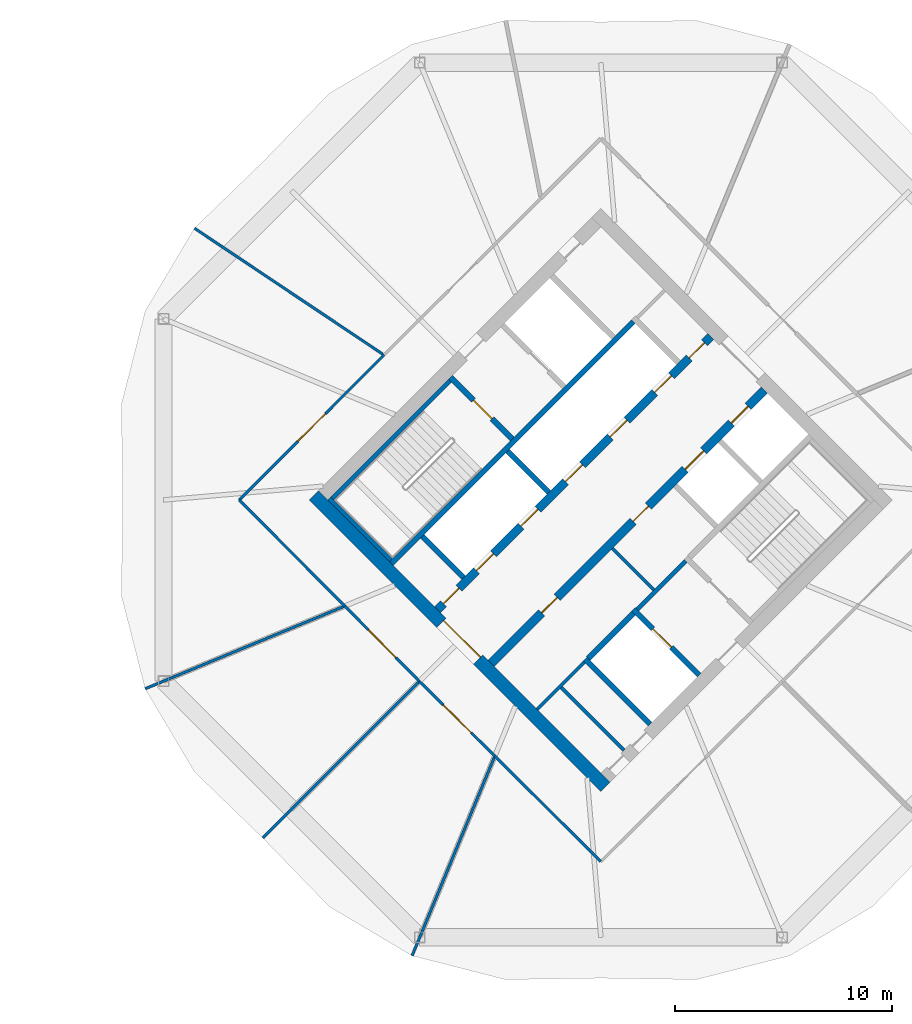
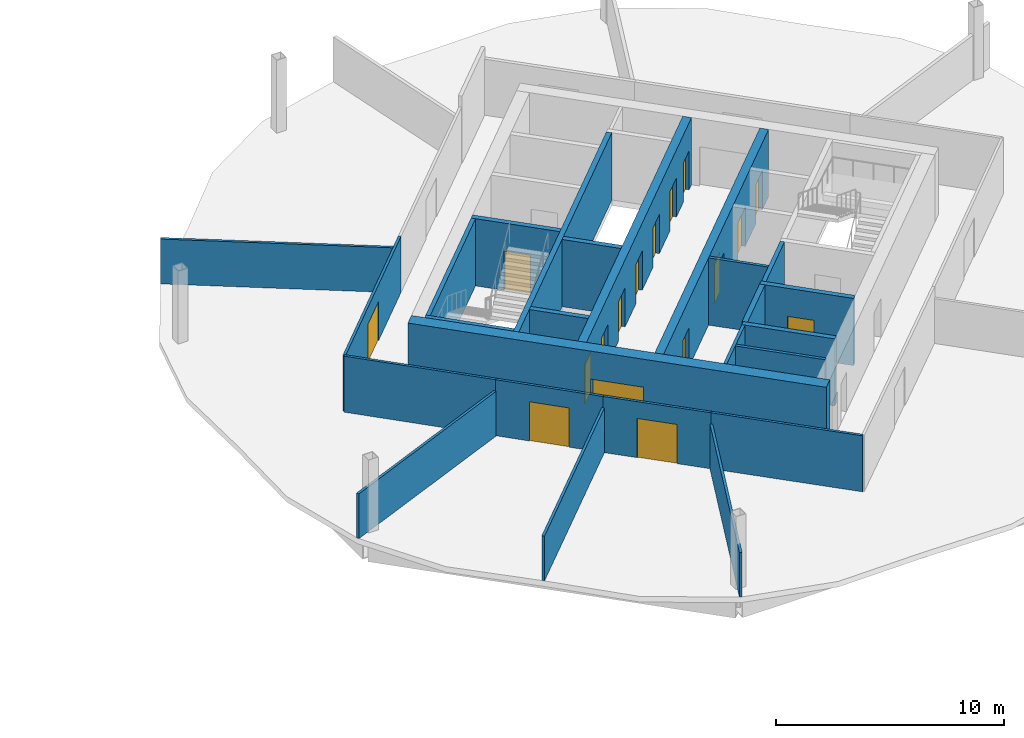
# One storey, part 7 of 10: 25 walls, 17 doors, 17 openings.
"""IFC4 building model written with IfcOpenShell, lengths in metres."""

import ifcopenshell
import ifcopenshell.guid

model = None  # the IFC model being written
_history = None  # IfcOwnerHistory: only IFC2X3 demands one
_inside = {}  # id of a spatial element -> (the spatial element, [elements in it])
_under = {}  # id of a project, library or spatial element -> (it, [spatial elements below it])
_declared = {}  # id of a project -> (the project, [libraries it declares])
_typed = {}  # id of a type object -> (the type object, [elements of that type])
_made_of = {}  # id of a material, layer set ... -> (it, [elements and type objects made of it])


def new_model(schema):
    """Start an empty IFC model of exactly this schema.

    Asked for "IFC4X3", IfcOpenShell would pick the latest addendum, in which some entities
    have other attributes; the version numbers below select the first issue.
    IFC2X3 requires an IfcOwnerHistory on every rooted entity: one is made here for all.
    """
    global model, _history
    if schema == "IFC4X3":
        model = ifcopenshell.file(schema_version=(4, 3, 0, 0))
    else:
        model = ifcopenshell.file(schema=schema)
    _inside.clear()
    _under.clear()
    _declared.clear()
    _typed.clear()
    _made_of.clear()
    _history = None
    if model.schema == "IFC2X3":
        org = make("IfcOrganization", Name="unknown")
        user = make(
            "IfcPersonAndOrganization",
            ThePerson=make("IfcPerson", FamilyName="unknown"),
            TheOrganization=org,
        )
        app = make(
            "IfcApplication",
            ApplicationDeveloper=org,
            Version="unknown",
            ApplicationFullName="unknown",
            ApplicationIdentifier="unknown",
        )
        _history = make(
            "IfcOwnerHistory",
            OwningUser=user,
            OwningApplication=app,
            ChangeAction="ADDED",
            CreationDate=0,
        )
    return model


def make(cls, **values):
    """One entity of the class cls with the attributes given. An attribute that is None is left unset."""
    return model.create_entity(
        cls, **{name: value for name, value in values.items() if value is not None}
    )


def rooted(cls, **values):
    """An entity with a GlobalId (a new one), such as an element, a storey or a relation."""
    return make(cls, GlobalId=ifcopenshell.guid.new(), OwnerHistory=_history, **values)


def si_unit(unit_type, name, prefix=None):
    """IfcSIUnit, for example si_unit("LENGTHUNIT", "METRE", prefix="MILLI")."""
    return make("IfcSIUnit", UnitType=unit_type, Prefix=prefix, Name=name)


def assignment(units):
    """IfcUnitAssignment: the units of a project."""
    return None if units is None else make("IfcUnitAssignment", Units=units)


def point(xyz):
    """IfcCartesianPoint."""
    return None if xyz is None else make("IfcCartesianPoint", Coordinates=xyz)


def direction(xyz):
    """IfcDirection."""
    return None if xyz is None else make("IfcDirection", DirectionRatios=xyz)


def frame(location, z_axis=None, x_axis=None):
    """IfcAxis2Placement3D, a coordinate frame: its origin and axes. An axis left out is left unset."""
    return make(
        "IfcAxis2Placement3D",
        Location=point(location),
        Axis=direction(z_axis),
        RefDirection=direction(x_axis),
    )


def frame_2d(location, x_axis=None):
    """IfcAxis2Placement2D, a coordinate frame in the plane: its origin and x axis."""
    return make(
        "IfcAxis2Placement2D", Location=point(location), RefDirection=direction(x_axis)
    )


def origin():
    """The frame at (0, 0, 0) with its axes left unset."""
    return frame((0.0, 0.0, 0.0))


def place(relative_to, where):
    """IfcLocalPlacement: puts the frame where relative to a parent placement (None: the world)."""
    return make(
        "IfcLocalPlacement", PlacementRelTo=relative_to, RelativePlacement=where
    )


def context(
    kind, dimensions, precision=None, world=None, true_north=None, identifier=None
):
    """IfcGeometricRepresentationContext, for example the 3D "Model" context."""
    return make(
        "IfcGeometricRepresentationContext",
        ContextIdentifier=identifier,
        ContextType=kind,
        CoordinateSpaceDimension=dimensions,
        Precision=precision,
        WorldCoordinateSystem=world,
        TrueNorth=true_north,
    )


def subcontext(parent, identifier, kind, view, scale=None):
    """IfcGeometricRepresentationSubContext, for example "Body" below "Model"."""
    return make(
        "IfcGeometricRepresentationSubContext",
        ContextIdentifier=identifier,
        ContextType=kind,
        ParentContext=parent,
        TargetScale=scale,
        TargetView=view,
    )


def project(units=None, contexts=None):
    """IfcProject with its units and contexts."""
    return rooted(
        "IfcProject",
        Name="project",
        RepresentationContexts=contexts,
        UnitsInContext=assignment(units),
    )


def spatial(cls, under=None, at=None, **own):
    """A site, building, storey or space (cls), placed at a placement, below another one or the project."""
    s = rooted(cls, ObjectPlacement=at, **own)
    if under is not None:
        _under.setdefault(under.id(), (under, []))[1].append(s)
    return s


def profile(cls, at=None, kind="AREA", **sizes):
    """A parametric profile (cls). Its sizes go by their IFC names, for example OverallWidth=200.0."""
    return make(cls, ProfileType=kind, Position=at, **sizes)


def rectangle(**sizes):
    """IfcRectangleProfileDef."""
    return profile("IfcRectangleProfileDef", **sizes)


def extrude(swept, where, along, depth):
    """IfcExtrudedAreaSolid: the profile swept, set in the frame where, extruded along a direction by depth."""
    return make(
        "IfcExtrudedAreaSolid",
        SweptArea=swept,
        Position=where,
        ExtrudedDirection=direction(along),
        Depth=depth,
    )


def shape(context_of_items, identifier, shape_type, items):
    """IfcShapeRepresentation: the items that make up one representation, for example the "Body"."""
    return make(
        "IfcShapeRepresentation",
        ContextOfItems=context_of_items,
        RepresentationIdentifier=identifier,
        RepresentationType=shape_type,
        Items=items,
    )


def material(Name=None, Category=None):
    """IfcMaterial."""
    return make("IfcMaterial", Name=Name, Category=Category)


def layer(
    of_material, thickness, ventilated=None, Name=None, Category=None, Priority=None
):
    """IfcMaterialLayer: one layer of a wall or slab, of a material (None: an air gap)."""
    return make(
        "IfcMaterialLayer",
        Material=of_material,
        LayerThickness=thickness,
        IsVentilated=ventilated,
        Name=Name,
        Category=Category,
        Priority=Priority,
    )


def layer_set(layers, Name=None):
    """IfcMaterialLayerSet."""
    return make("IfcMaterialLayerSet", MaterialLayers=layers, LayerSetName=Name)


def made_of(thing, what):
    """Note that an element or type object is made of a material, layer set ...; save() writes the relation."""
    if what is not None:
        _made_of.setdefault(what.id(), (what, []))[1].append(thing)
    return thing


def type_object(cls, material=None, **own):
    """A type object (cls), such as IfcWallType, which elements share."""
    return made_of(rooted(cls, **own), material)


def element(
    cls,
    number,
    at=None,
    inside=None,
    cuts=None,
    type_object=None,
    material=None,
    context=None,
    identifier="Body",
    shape_type=None,
    held_by="IfcProductDefinitionShape",
    body=None,
    shapes=None,
    **own,
):
    """One element of the class cls, such as IfcWall. Its Tag is "e" and its number.

    at: its placement. inside: the storey or other place that contains it. cuts: it is an
    opening in that element (IfcRelVoidsElement). A single representation is given by context,
    identifier, shape_type and body (its items); several are given by shapes. held_by: the class
    of the entity that holds the representations. save() writes the other relations.
    """
    e = rooted(cls, Tag="e%d" % number, ObjectPlacement=at, **own)
    if body is not None:
        shapes = [shape(context, identifier, shape_type, body)]
    if shapes is not None:
        e.Representation = make(held_by, Representations=shapes)
    if inside is not None:
        _inside.setdefault(inside.id(), (inside, []))[1].append(e)
    if cuts is not None:
        rooted(
            "IfcRelVoidsElement", RelatingBuildingElement=cuts, RelatedOpeningElement=e
        )
    if type_object is not None:
        _typed.setdefault(type_object.id(), (type_object, []))[1].append(e)
    return made_of(e, material)


def fill(opening, filler):
    """IfcRelFillsElement: the door or window that sits in an opening."""
    return rooted(
        "IfcRelFillsElement",
        RelatingOpeningElement=opening,
        RelatedBuildingElement=filler,
    )


def aggregate(whole, parts):
    """IfcRelAggregates: a whole, such as a stair, and the parts it consists of."""
    return rooted("IfcRelAggregates", RelatingObject=whole, RelatedObjects=parts)


def save(model, path):
    """Write the relations noted so far, then the file.

    IfcRelAggregates (storeys below a building ...), IfcRelContainedInSpatialStructure (elements
    in a storey), IfcRelDefinesByType, IfcRelAssociatesMaterial and IfcRelDeclares: one each for
    every whole, place, type object, material and project.
    """
    for whole, parts in _under.values():
        aggregate(whole, parts)
    for where, things in _inside.values():
        rooted(
            "IfcRelContainedInSpatialStructure",
            RelatedElements=things,
            RelatingStructure=where,
        )
    for kind, things in _typed.values():
        rooted("IfcRelDefinesByType", RelatedObjects=things, RelatingType=kind)
    for what, things in _made_of.values():
        rooted("IfcRelAssociatesMaterial", RelatedObjects=things, RelatingMaterial=what)
    for by, libraries in _declared.values():
        rooted("IfcRelDeclares", RelatingContext=by, RelatedDefinitions=libraries)
    model.write(path)


model = new_model("IFC4")

# Units and contexts
model_context = context("Model", 3, precision=1e-05, world=origin(), true_north=direction((0.0, 1.0)))
body_context = subcontext(model_context, "Body", "Model", "MODEL_VIEW")
ifc_project = project(units=[si_unit("LENGTHUNIT", "METRE"), si_unit("AREAUNIT", "SQUARE_METRE"), si_unit("VOLUMEUNIT", "CUBIC_METRE"), si_unit("PLANEANGLEUNIT", "RADIAN"), si_unit("MASSUNIT", "GRAM", prefix="KILO")], contexts=[model_context])

# Site, building, storey
site_placement = place(None, origin())
site = spatial("IfcSite", under=ifc_project, at=site_placement, CompositionType="ELEMENT")
building_placement = place(site_placement, origin())
building = spatial("IfcBuilding", under=site, at=building_placement, Name="Ogive Gate Towers", CompositionType="ELEMENT")
storey_placement = place(building_placement, frame((0.0, 0.0, 173.39990234375)))
storey = spatial("IfcBuildingStorey", under=building, at=storey_placement, Name="L41", CompositionType="ELEMENT", Elevation=173.39990234375)

# Wall
ifc_material_1 = material(Name="Masonry blockwork", Category="masonry")
ifc_layer_1 = layer(ifc_material_1, 0.199951171875)
ifc_layer_set_1 = layer_set([ifc_layer_1], Name="Blockwork wall 200 mm")
wall_type_1 = type_object("IfcWallType", Name="Blockwork wall 200 mm", PredefinedType="PARTITIONING", material=ifc_layer_set_1)
wall_1_placement = place(storey_placement, frame((37.679443359375, -5.0380859375, 0.0), z_axis=(0.0, 0.0, 1.0), x_axis=(0.707106781187, 0.707106781187, 0.0)))
element("IfcWall", 1, at=wall_1_placement, inside=storey, type_object=wall_type_1, Name="T2 L41 Blockwork wall 200 mm", PredefinedType="PARTITIONING", context=body_context, shape_type="SweptSolid", body=[
    extrude(rectangle(XDim=3.14990234375, YDim=0.199951171875, at=frame_2d((1.574951171875, 0.0))), origin(), (0.0, 0.0, 1.0), 3.60009765625),
])

# Wall, opening, door
ifc_material_2 = material(Name="Concrete C60/75", Category="concrete")
ifc_layer_2 = layer(ifc_material_2, 0.60009765625)
ifc_layer_set_2 = layer_set([ifc_layer_2], Name="Core wall 600 mm")
wall_type_2 = type_object("IfcWallType", Name="Core wall 600 mm", PredefinedType="SHEAR", material=ifc_layer_set_2)
wall_2_placement = place(storey_placement, frame((36.212158203125, -13.222900390625, 0.0), z_axis=(0.0, 0.0, 1.0), x_axis=(-0.707106781187, 0.707106781187, 0.0)))
wall_2 = element("IfcWall", 2, at=wall_2_placement, inside=storey, type_object=wall_type_2, Name="T2 L41 Core wall 600 mm", PredefinedType="SHEAR", context=body_context, shape_type="SweptSolid", body=[
    extrude(rectangle(XDim=19.0, YDim=0.60009765625, at=frame_2d((9.5, 0.0))), origin(), (0.0, 0.0, 1.0), 3.60009765625),
])
opening_1_placement = place(wall_2_placement, frame((8.300048828125, 0.0, 0.0)))
opening_1 = element("IfcOpeningElement", 3, at=opening_1_placement, cuts=wall_2, Name="Opening KD-T2-L41-01", PredefinedType="OPENING", context=body_context, shape_type="SweptSolid", body=[
    extrude(rectangle(XDim=2.39990234375, YDim=2.10009765625, at=frame_2d((1.199951171875, 1.050048828125))), frame((0.0, 0.31005859375, 0.0), z_axis=(0.0, -1.0, 0.0), x_axis=(1.0, 0.0, 0.0)), (0.0, 0.0, 1.0), 0.6201171875),
])
ifc_material_3 = material(Name="Steel fire door", Category="steel")
door_type_1 = type_object("IfcDoorType", Name="Core double door FD60S 2400 x 2100", OperationType="DOUBLE_DOOR_SINGLE_SWING", PredefinedType="DOOR", material=ifc_material_3)
door_1_placement = place(opening_1_placement, origin())
door_1 = element("IfcDoor", 4, at=door_1_placement, inside=storey, type_object=door_type_1, Name="T2 L41 Core door double", OperationType="DOUBLE_DOOR_SINGLE_SWING", OverallHeight=2.10009765625, OverallWidth=2.39990234375, PredefinedType="DOOR", context=body_context, shape_type="SweptSolid", body=[
    extrude(rectangle(XDim=2.39990234375, YDim=2.10009765625, at=frame_2d((1.199951171875, 1.050048828125))), frame((0.0, -0.125, 0.0), z_axis=(0.0, -1.0, 0.0), x_axis=(1.0, 0.0, 0.0)), (0.0, 0.0, 1.0), 0.050048828125),
])
fill(opening_1, door_1)

# Walls
ifc_material_4 = material(Name="Gypsum board partition")
ifc_layer_3 = layer(ifc_material_4, 0.125)
ifc_layer_set_3 = layer_set([ifc_layer_3], Name="Partition 125")
wall_type_3 = type_object("IfcWallType", Name="Partition 125", PredefinedType="PARTITIONING", material=ifc_layer_set_3)
wall_3_placement = place(storey_placement, frame((17.271728515625, 12.5234375, 0.0), z_axis=(0.0, 0.0, 1.0), x_axis=(0.831276473527, -0.555859176914, 0.0)))
element("IfcWall", 5, at=wall_3_placement, inside=storey, type_object=wall_type_3, Name="Partition T2-L41-004", PredefinedType="PARTITIONING", context=body_context, shape_type="SweptSolid", body=[
    extrude(rectangle(XDim=10.44677734375, YDim=0.125, at=frame_2d((5.223388671875, 0.0))), origin(), (0.0, 0.0, 1.0), 2.400146484375),
])
wall_4_placement = place(storey_placement, frame((15.000244140625, -8.698486328125, 0.0), z_axis=(0.0, 0.0, 1.0), x_axis=(0.923873408778, 0.382698216031, 0.0)))
element("IfcWall", 6, at=wall_4_placement, inside=storey, type_object=wall_type_3, Name="Partition T2-L41-005", PredefinedType="PARTITIONING", context=body_context, shape_type="SweptSolid", body=[
    extrude(rectangle(XDim=9.896484375, YDim=0.125, at=frame_2d((4.9482421875, 0.0))), origin(), (0.0, 0.0, 1.0), 2.400146484375),
])
wall_5_placement = place(storey_placement, frame((20.423095703125, -15.576904296875, 0.0), z_axis=(0.0, 0.0, 1.0), x_axis=(0.707106781187, 0.707106781187, 0.0)))
element("IfcWall", 7, at=wall_5_placement, inside=storey, type_object=wall_type_3, Name="Partition T2-L41-006", PredefinedType="PARTITIONING", context=body_context, shape_type="SweptSolid", body=[
    extrude(rectangle(XDim=10.146728515625, YDim=0.125, at=frame_2d((5.0732421875, 0.0))), origin(), (0.0, 0.0, 1.0), 2.400146484375),
])
wall_6_placement = place(storey_placement, frame((27.301513671875, -20.999755859375, 0.0), z_axis=(0.0, 0.0, 1.0), x_axis=(0.382698216031, 0.923873408778, 0.0)))
element("IfcWall", 8, at=wall_6_placement, inside=storey, type_object=wall_type_3, Name="Partition T2-L41-007", PredefinedType="PARTITIONING", context=body_context, shape_type="SweptSolid", body=[
    extrude(rectangle(XDim=9.896484375, YDim=0.125, at=frame_2d((4.9482421875, 0.0))), origin(), (0.0, 0.0, 1.0), 2.400146484375),
])

# Wall, opening, door
wall_7_placement = place(storey_placement, frame((26.007568359375, 6.681884765625, 0.0), z_axis=(0.0, 0.0, 1.0), x_axis=(-0.706317463053, -0.707895219214, 0.0)))
wall_7 = element("IfcWall", 9, at=wall_7_placement, inside=storey, type_object=wall_type_3, Name="Partition T2-L41-012", PredefinedType="PARTITIONING", context=body_context, shape_type="SweptSolid", body=[
    extrude(rectangle(XDim=9.439208984375, YDim=0.125, at=frame_2d((4.7197265625, 0.0))), origin(), (0.0, 0.0, 1.0), 3.0),
])
opening_2_placement = place(wall_7_placement, frame((3.820068359375, 0.0, 0.0)))
opening_2 = element("IfcOpeningElement", 10, at=opening_2_placement, cuts=wall_7, Name="Opening T2-L41-D03", PredefinedType="OPENING", context=body_context, shape_type="SweptSolid", body=[
    extrude(rectangle(XDim=1.800048828125, YDim=2.10009765625, at=frame_2d((0.89990234375, 1.050048828125))), frame((0.0, 0.072509765625, 0.0), z_axis=(0.0, -1.0, 0.0), x_axis=(1.0, 0.0, 0.0)), (0.0, 0.0, 1.0), 0.14501953125),
])
ifc_material_5 = material(Name="Timber door", Category="wood")
door_type_2 = type_object("IfcDoorType", Name="Door pair 1800", OperationType="NOTDEFINED", PredefinedType="DOOR", material=ifc_material_5)
door_2_placement = place(opening_2_placement, origin())
door_2 = element("IfcDoor", 11, at=door_2_placement, inside=storey, type_object=door_type_2, Name="Door T2-L41-D03", OperationType="DOUBLE_DOOR_DOUBLE_SWING", OverallHeight=2.10009765625, OverallWidth=1.800048828125, PredefinedType="DOOR", context=body_context, shape_type="SweptSolid", body=[
    extrude(rectangle(XDim=1.800048828125, YDim=2.10009765625, at=frame_2d((0.89990234375, 1.050048828125))), frame((0.0, 0.02490234375, 0.0), z_axis=(0.0, -1.0, 0.0), x_axis=(1.0, 0.0, 0.0)), (0.0, 0.0, 1.0), 0.050048828125),
])
fill(opening_2, door_2)

# Wall
wall_8_placement = place(storey_placement, frame((19.340576171875, 0.0, 0.0), z_axis=(0.0, 0.0, 1.0), x_axis=(0.705173764492, -0.709034527983, 0.0)))
element("IfcWall", 12, at=wall_8_placement, inside=storey, type_object=wall_type_3, Name="Partition T2-L41-013", PredefinedType="PARTITIONING", context=body_context, shape_type="SweptSolid", body=[
    extrude(rectangle(XDim=6.892822265625, YDim=0.125, at=frame_2d((3.4462890625, 0.0))), origin(), (0.0, 0.0, 1.0), 3.0),
])

# Wall, opening, door
wall_9_placement = place(storey_placement, frame((24.201171875, -4.88720703125, 0.0), z_axis=(0.0, 0.0, 1.0), x_axis=(0.70405301557, -0.710147415166, 0.0)))
wall_9 = element("IfcWall", 13, at=wall_9_placement, inside=storey, type_object=wall_type_3, Name="Partition T2-L41-014", PredefinedType="PARTITIONING", context=body_context, shape_type="SweptSolid", body=[
    extrude(rectangle(XDim=4.88720703125, YDim=0.125, at=frame_2d((2.443603515625, 0.0))), origin(), (0.0, 0.0, 1.0), 3.0),
])
opening_3_placement = place(wall_9_placement, frame((1.5439453125, 0.0, 0.0)))
opening_3 = element("IfcOpeningElement", 14, at=opening_3_placement, cuts=wall_9, Name="Opening T2-L41-D04", PredefinedType="OPENING", context=body_context, shape_type="SweptSolid", body=[
    extrude(rectangle(XDim=1.800048828125, YDim=2.10009765625, at=frame_2d((0.89990234375, 1.050048828125))), frame((0.0, 0.072509765625, 0.0), z_axis=(0.0, -1.0, 0.0), x_axis=(1.0, 0.0, 0.0)), (0.0, 0.0, 1.0), 0.14501953125),
])
door_3_placement = place(opening_3_placement, origin())
door_3 = element("IfcDoor", 15, at=door_3_placement, inside=storey, type_object=door_type_2, Name="Door T2-L41-D04", OperationType="DOUBLE_DOOR_DOUBLE_SWING", OverallHeight=2.10009765625, OverallWidth=1.800048828125, PredefinedType="DOOR", context=body_context, shape_type="SweptSolid", body=[
    extrude(rectangle(XDim=1.800048828125, YDim=2.10009765625, at=frame_2d((0.89990234375, 1.050048828125))), frame((0.0, 0.02490234375, 0.0), z_axis=(0.0, -1.0, 0.0), x_axis=(1.0, 0.0, 0.0)), (0.0, 0.0, 1.0), 0.050048828125),
])
fill(opening_3, door_3)

wall_10_placement = place(storey_placement, frame((27.64208984375, -8.35791015625, 0.0), z_axis=(0.0, 0.0, 1.0), x_axis=(0.710147415166, -0.70405301557, 0.0)))
wall_10 = element("IfcWall", 16, at=wall_10_placement, inside=storey, type_object=wall_type_3, Name="Partition T2-L41-015", PredefinedType="PARTITIONING", context=body_context, shape_type="SweptSolid", body=[
    extrude(rectangle(XDim=4.88720703125, YDim=0.125, at=frame_2d((2.443603515625, 0.0))), origin(), (0.0, 0.0, 1.0), 3.0),
])
opening_4_placement = place(wall_10_placement, frame((1.5439453125, 0.0, 0.0)))
opening_4 = element("IfcOpeningElement", 17, at=opening_4_placement, cuts=wall_10, Name="Opening T2-L41-D05", PredefinedType="OPENING", context=body_context, shape_type="SweptSolid", body=[
    extrude(rectangle(XDim=1.800048828125, YDim=2.10009765625, at=frame_2d((0.89990234375, 1.050048828125))), frame((0.0, 0.072509765625, 0.0), z_axis=(0.0, -1.0, 0.0), x_axis=(1.0, 0.0, 0.0)), (0.0, 0.0, 1.0), 0.14501953125),
])
door_4_placement = place(opening_4_placement, origin())
door_4 = element("IfcDoor", 18, at=door_4_placement, inside=storey, type_object=door_type_2, Name="Door T2-L41-D05", OperationType="DOUBLE_DOOR_DOUBLE_SWING", OverallHeight=2.10009765625, OverallWidth=1.800048828125, PredefinedType="DOOR", context=body_context, shape_type="SweptSolid", body=[
    extrude(rectangle(XDim=1.800048828125, YDim=2.10009765625, at=frame_2d((0.89990234375, 1.050048828125))), frame((0.0, 0.02490234375, 0.0), z_axis=(0.0, -1.0, 0.0), x_axis=(1.0, 0.0, 0.0)), (0.0, 0.0, 1.0), 0.050048828125),
])
fill(opening_4, door_4)

# Walls
wall_11_placement = place(storey_placement, frame((31.11279296875, -11.798828125, 0.0), z_axis=(0.0, 0.0, 1.0), x_axis=(0.709034527983, -0.705173764492, 0.0)))
element("IfcWall", 19, at=wall_11_placement, inside=storey, type_object=wall_type_3, Name="Partition T2-L41-017", PredefinedType="PARTITIONING", context=body_context, shape_type="SweptSolid", body=[
    extrude(rectangle(XDim=6.892822265625, YDim=0.125, at=frame_2d((3.4462890625, 0.0))), origin(), (0.0, 0.0, 1.0), 3.0),
])
ifc_layer_4 = layer(ifc_material_4, 0.14990234375)
ifc_layer_set_4 = layer_set([ifc_layer_4], Name="Room partition 150 mm")
wall_type_4 = type_object("IfcWallType", Name="Room partition 150 mm", PredefinedType="PARTITIONING", material=ifc_layer_set_4)
wall_12_placement = place(storey_placement, frame((33.0654296875, -9.652099609375, 0.0), z_axis=(0.0, 0.0, 1.0), x_axis=(0.707146476181, 0.707067083964, 0.0)))
element("IfcWall", 20, at=wall_12_placement, inside=storey, type_object=wall_type_4, Name="T2 L41 Room partition 150 mm", PredefinedType="PARTITIONING", context=body_context, shape_type="SweptSolid", body=[
    extrude(rectangle(XDim=3.0751953125, YDim=0.14990234375, at=frame_2d((1.53759765625, 0.0))), origin(), (0.0, 0.0, 1.0), 3.60009765625),
])
wall_13_placement = place(storey_placement, frame((37.060791015625, -11.52587890625, 0.0), z_axis=(0.0, 0.0, 1.0), x_axis=(-0.707106781187, 0.707106781187, 0.0)))
element("IfcWall", 21, at=wall_13_placement, inside=storey, type_object=wall_type_4, Name="T2 L41 Room partition 150 mm", PredefinedType="PARTITIONING", context=body_context, shape_type="SweptSolid", body=[
    extrude(rectangle(XDim=4.0751953125, YDim=0.14990234375, at=frame_2d((2.03759765625, 0.0))), origin(), (0.0, 0.0, 1.0), 3.60009765625),
])
wall_14_placement = place(storey_placement, frame((38.439453125, -4.13671875, 0.0), z_axis=(0.0, 0.0, 1.0), x_axis=(-0.707061571201, 0.707151988282, 0.0)))
element("IfcWall", 22, at=wall_14_placement, inside=storey, type_object=wall_type_4, Name="T2 L41 Room partition 150 mm", PredefinedType="PARTITIONING", context=body_context, shape_type="SweptSolid", body=[
    extrude(rectangle(XDim=2.7001953125, YDim=0.14990234375, at=frame_2d((1.35009765625, 0.0))), origin(), (0.0, 0.0, 1.0), 3.60009765625),
])
ifc_layer_5 = layer(ifc_material_2, 0.25)
ifc_layer_set_5 = layer_set([ifc_layer_5], Name="Shaft wall 250 mm")
wall_type_5 = type_object("IfcWallType", Name="Shaft wall 250 mm", PredefinedType="SHEAR", material=ifc_layer_set_5)
wall_15_placement = place(storey_placement, frame((35.41650390625, -7.30078125, 0.0), z_axis=(0.0, 0.0, 1.0), x_axis=(0.707148157867, 0.707065402085, 0.0)))
element("IfcWall", 23, at=wall_15_placement, inside=storey, type_object=wall_type_5, Name="T2 L41 Shaft wall 250 mm", PredefinedType="SHEAR", context=body_context, shape_type="SweptSolid", body=[
    extrude(rectangle(XDim=2.9501953125, YDim=0.25, at=frame_2d((1.47509765625, 0.0))), origin(), (0.0, 0.0, 1.0), 3.60009765625),
])
wall_16_placement = place(storey_placement, frame((26.347900390625, -2.9345703125, 0.0), z_axis=(0.0, 0.0, 1.0), x_axis=(0.707106781187, 0.707106781187, 0.0)))
element("IfcWall", 24, at=wall_16_placement, inside=storey, type_object=wall_type_5, Name="T2 L41 Shaft wall 250 mm", PredefinedType="SHEAR", context=body_context, shape_type="SweptSolid", body=[
    extrude(rectangle(XDim=15.775146484375, YDim=0.25, at=frame_2d((7.8876953125, 0.0))), origin(), (0.0, 0.0, 1.0), 3.60009765625),
])
wall_17_placement = place(storey_placement, frame((29.67138671875, -3.57080078125, 0.0), z_axis=(0.0, 0.0, 1.0), x_axis=(-0.707152414227, 0.707061145201, 0.0)))
element("IfcWall", 25, at=wall_17_placement, inside=storey, type_object=wall_type_5, Name="T2 L41 Shaft wall 250 mm", PredefinedType="SHEAR", context=body_context, shape_type="SweptSolid", body=[
    extrude(rectangle(XDim=2.675048828125, YDim=0.25, at=frame_2d((1.33740234375, 0.0))), origin(), (0.0, 0.0, 1.0), 3.60009765625),
])
wall_18_placement = place(storey_placement, frame((38.2626953125, -10.32373046875, 0.0), z_axis=(0.0, 0.0, 1.0), x_axis=(-0.707106781187, 0.707106781187, 0.0)))
element("IfcWall", 26, at=wall_18_placement, inside=storey, type_object=wall_type_5, Name="T2 L41 Shaft wall 250 mm", PredefinedType="SHEAR", context=body_context, shape_type="SweptSolid", body=[
    extrude(rectangle(XDim=4.22509765625, YDim=0.25, at=frame_2d((2.112548828125, 0.0))), origin(), (0.0, 0.0, 1.0), 3.60009765625),
])

# Wall, opening, door
wall_19_placement = place(storey_placement, frame((40.525390625, -8.06103515625, 0.0), z_axis=(0.0, 0.0, 1.0), x_axis=(-0.707078225638, 0.707135335582, 0.0)))
wall_19 = element("IfcWall", 27, at=wall_19_placement, inside=storey, type_object=wall_type_5, Name="T2 L41 Shaft wall 250 mm", PredefinedType="SHEAR", context=body_context, shape_type="SweptSolid", body=[
    extrude(rectangle(XDim=4.27490234375, YDim=0.25, at=frame_2d((2.137451171875, 0.0))), origin(), (0.0, 0.0, 1.0), 3.60009765625),
])
opening_5_placement = place(wall_19_placement, frame((1.800048828125, 0.0, 0.0)))
opening_5 = element("IfcOpeningElement", 28, at=opening_5_placement, cuts=wall_19, Name="Opening LD-T2-L41-13", PredefinedType="OPENING", context=body_context, shape_type="SweptSolid", body=[
    extrude(rectangle(XDim=1.199951171875, YDim=2.10009765625, at=frame_2d((0.60009765625, 1.050048828125))), frame((0.0, 0.135009765625, 0.0), z_axis=(0.0, -1.0, 0.0), x_axis=(1.0, 0.0, 0.0)), (0.0, 0.0, 1.0), 0.27001953125),
])
ifc_material_6 = material(Name="Stainless steel landing door", Category="steel")
door_type_3 = type_object("IfcDoorType", Name="Landing door 1200 x 2100", OperationType="SLIDING_TO_LEFT", PredefinedType="DOOR", material=ifc_material_6)
door_5_placement = place(opening_5_placement, origin())
door_5 = element("IfcDoor", 29, at=door_5_placement, inside=storey, type_object=door_type_3, Name="T2 L41 Lift landing door FF2", OperationType="SLIDING_TO_LEFT", OverallHeight=2.10009765625, OverallWidth=1.199951171875, PredefinedType="DOOR", context=body_context, shape_type="SweptSolid", body=[
    extrude(rectangle(XDim=1.199951171875, YDim=2.10009765625, at=frame_2d((0.60009765625, 1.050048828125))), frame((0.0, 0.02490234375, 0.0), z_axis=(0.0, -1.0, 0.0), x_axis=(1.0, 0.0, 0.0)), (0.0, 0.0, 1.0), 0.050048828125),
])
fill(opening_5, door_5)

# Wall
wall_20_placement = place(storey_placement, frame((33.595703125, 0.353515625, 0.0), z_axis=(0.0, 0.0, 1.0), x_axis=(-0.707061145201, 0.707152414227, 0.0)))
element("IfcWall", 30, at=wall_20_placement, inside=storey, type_object=wall_type_5, Name="T2 L41 Shaft wall 250 mm", PredefinedType="SHEAR", context=body_context, shape_type="SweptSolid", body=[
    extrude(rectangle(XDim=2.675048828125, YDim=0.25, at=frame_2d((1.33740234375, 0.0))), origin(), (0.0, 0.0, 1.0), 3.60009765625),
])

# Wall, opening, door
wall_21_placement = place(storey_placement, frame((31.91650390625, 2.810791015625, 0.0), z_axis=(0.0, 0.0, 1.0), x_axis=(-0.707106781187, 0.707106781187, 0.0)))
wall_21 = element("IfcWall", 31, at=wall_21_placement, inside=storey, type_object=wall_type_5, Name="T2 L41 Shaft wall 250 mm", PredefinedType="SHEAR", context=body_context, shape_type="SweptSolid", body=[
    extrude(rectangle(XDim=4.025146484375, YDim=0.25, at=frame_2d((2.0126953125, 0.0))), origin(), (0.0, 0.0, 1.0), 3.60009765625),
])
opening_6_placement = place(wall_21_placement, frame((1.324951171875, 0.0, 0.0)))
opening_6 = element("IfcOpeningElement", 32, at=opening_6_placement, cuts=wall_21, Name="Opening KD-T2-L41-16", PredefinedType="OPENING", context=body_context, shape_type="SweptSolid", body=[
    extrude(rectangle(XDim=1.199951171875, YDim=2.10009765625, at=frame_2d((0.60009765625, 1.050048828125))), frame((0.0, 0.135009765625, 0.0), z_axis=(0.0, -1.0, 0.0), x_axis=(1.0, 0.0, 0.0)), (0.0, 0.0, 1.0), 0.27001953125),
])
door_type_4 = type_object("IfcDoorType", Name="Core door FD60S 1200 x 2100", OperationType="NOTDEFINED", PredefinedType="DOOR", material=ifc_material_3)
door_6_placement = place(opening_6_placement, origin())
door_6 = element("IfcDoor", 33, at=door_6_placement, inside=storey, type_object=door_type_4, Name="T2 L41 Stair door", OperationType="SINGLE_SWING_LEFT", OverallHeight=2.10009765625, OverallWidth=1.199951171875, PredefinedType="DOOR", context=body_context, shape_type="SweptSolid", body=[
    extrude(rectangle(XDim=1.199951171875, YDim=2.10009765625, at=frame_2d((0.60009765625, 1.050048828125))), frame((0.0, 0.02490234375, 0.0), z_axis=(0.0, -1.0, 0.0), x_axis=(1.0, 0.0, 0.0)), (0.0, 0.0, 1.0), 0.050048828125),
])
fill(opening_6, door_6)

# Wall, openings, doors
ifc_layer_6 = layer(ifc_material_2, 0.39990234375)
ifc_layer_set_6 = layer_set([ifc_layer_6], Name="Spine wall 400 mm")
wall_type_6 = type_object("IfcWallType", Name="Spine wall 400 mm", PredefinedType="SHEAR", material=ifc_layer_set_6)
wall_22_placement = place(storey_placement, frame((30.944091796875, -7.53076171875, 0.0), z_axis=(0.0, 0.0, 1.0), x_axis=(0.707106781187, 0.707106781187, 0.0)))
wall_22 = element("IfcWall", 34, at=wall_22_placement, inside=storey, type_object=wall_type_6, Name="T2 L41 Spine wall 400 mm", PredefinedType="SHEAR", context=body_context, shape_type="SweptSolid", body=[
    extrude(rectangle(XDim=17.80029296875, YDim=0.39990234375, at=frame_2d((8.900146484375, 0.0))), origin(), (0.0, 0.0, 1.0), 3.60009765625),
])
opening_7_placement = place(wall_22_placement, frame((12.64990234375, 0.0, 0.0)))
opening_7 = element("IfcOpeningElement", 35, at=opening_7_placement, cuts=wall_22, Name="Opening LD-T2-L41-10", PredefinedType="OPENING", context=body_context, shape_type="SweptSolid", body=[
    extrude(rectangle(XDim=1.199951171875, YDim=2.10009765625, at=frame_2d((0.60009765625, 1.050048828125))), frame((0.0, 0.2099609375, 0.0), z_axis=(0.0, -1.0, 0.0), x_axis=(1.0, 0.0, 0.0)), (0.0, 0.0, 1.0), 0.419921875),
])
opening_8_placement = place(wall_22_placement, frame((15.64990234375, 0.0, 0.0)))
opening_8 = element("IfcOpeningElement", 36, at=opening_8_placement, cuts=wall_22, Name="Opening LD-T2-L41-11", PredefinedType="OPENING", context=body_context, shape_type="SweptSolid", body=[
    extrude(rectangle(XDim=1.10009765625, YDim=2.10009765625, at=frame_2d((0.550048828125, 1.050048828125))), frame((0.0, 0.2099609375, 0.0), z_axis=(0.0, -1.0, 0.0), x_axis=(1.0, 0.0, 0.0)), (0.0, 0.0, 1.0), 0.419921875),
])
opening_9_placement = place(wall_22_placement, frame((3.300048828125, 0.0, 0.0)))
opening_9 = element("IfcOpeningElement", 37, at=opening_9_placement, cuts=wall_22, Name="Opening KD-T2-L41-14", PredefinedType="OPENING", context=body_context, shape_type="SweptSolid", body=[
    extrude(rectangle(XDim=1.0, YDim=2.10009765625, at=frame_2d((0.5, 1.050048828125))), frame((0.0, 0.2099609375, 0.0), z_axis=(0.0, -1.0, 0.0), x_axis=(1.0, 0.0, 0.0)), (0.0, 0.0, 1.0), 0.419921875),
])
opening_10_placement = place(wall_22_placement, frame((9.25, 0.0, 0.0)))
opening_10 = element("IfcOpeningElement", 38, at=opening_10_placement, cuts=wall_22, Name="Opening KD-T2-L41-15", PredefinedType="OPENING", context=body_context, shape_type="SweptSolid", body=[
    extrude(rectangle(XDim=1.0, YDim=2.10009765625, at=frame_2d((0.5, 1.050048828125))), frame((0.0, 0.2099609375, 0.0), z_axis=(0.0, -1.0, 0.0), x_axis=(1.0, 0.0, 0.0)), (0.0, 0.0, 1.0), 0.419921875),
])
door_type_5 = type_object("IfcDoorType", Name="Core door FD60S 1000 x 2100", OperationType="NOTDEFINED", PredefinedType="DOOR", material=ifc_material_3)
door_7_placement = place(opening_9_placement, origin())
door_7 = element("IfcDoor", 39, at=door_7_placement, inside=storey, type_object=door_type_5, Name="T2 L41 Core door", OperationType="SINGLE_SWING_LEFT", OverallHeight=2.10009765625, OverallWidth=1.0, PredefinedType="DOOR", context=body_context, shape_type="SweptSolid", body=[
    extrude(rectangle(XDim=1.0, YDim=2.10009765625, at=frame_2d((0.5, 1.050048828125))), frame((0.0, 0.02490234375, 0.0), z_axis=(0.0, -1.0, 0.0), x_axis=(1.0, 0.0, 0.0)), (0.0, 0.0, 1.0), 0.050048828125),
])
fill(opening_9, door_7)
door_8_placement = place(opening_10_placement, origin())
door_8 = element("IfcDoor", 40, at=door_8_placement, inside=storey, type_object=door_type_5, Name="T2 L41 Core door", OperationType="SINGLE_SWING_RIGHT", OverallHeight=2.10009765625, OverallWidth=1.0, PredefinedType="DOOR", context=body_context, shape_type="SweptSolid", body=[
    extrude(rectangle(XDim=1.0, YDim=2.10009765625, at=frame_2d((0.5, 1.050048828125))), frame((0.0, 0.02490234375, 0.0), z_axis=(0.0, -1.0, 0.0), x_axis=(1.0, 0.0, 0.0)), (0.0, 0.0, 1.0), 0.050048828125),
])
fill(opening_10, door_8)
door_type_6 = type_object("IfcDoorType", Name="Landing door 1100 x 2100", OperationType="SLIDING_TO_LEFT", PredefinedType="DOOR", material=ifc_material_6)
door_9_placement = place(opening_8_placement, origin())
door_9 = element("IfcDoor", 41, at=door_9_placement, inside=storey, type_object=door_type_6, Name="T2 L41 Lift landing door B6", OperationType="SLIDING_TO_LEFT", OverallHeight=2.10009765625, OverallWidth=1.10009765625, PredefinedType="DOOR", context=body_context, shape_type="SweptSolid", body=[
    extrude(rectangle(XDim=1.10009765625, YDim=2.10009765625, at=frame_2d((0.550048828125, 1.050048828125))), frame((0.0, 0.02490234375, 0.0), z_axis=(0.0, -1.0, 0.0), x_axis=(1.0, 0.0, 0.0)), (0.0, 0.0, 1.0), 0.050048828125),
])
fill(opening_8, door_9)
door_10_placement = place(opening_7_placement, origin())
door_10 = element("IfcDoor", 42, at=door_10_placement, inside=storey, type_object=door_type_3, Name="T2 L41 Lift landing door SVC", OperationType="SLIDING_TO_LEFT", OverallHeight=2.10009765625, OverallWidth=1.199951171875, PredefinedType="DOOR", context=body_context, shape_type="SweptSolid", body=[
    extrude(rectangle(XDim=1.199951171875, YDim=2.10009765625, at=frame_2d((0.60009765625, 1.050048828125))), frame((0.0, 0.02490234375, 0.0), z_axis=(0.0, -1.0, 0.0), x_axis=(1.0, 0.0, 0.0)), (0.0, 0.0, 1.0), 0.050048828125),
])
fill(opening_7, door_10)

wall_23_placement = place(storey_placement, frame((28.46923828125, -5.055908203125, 0.0), z_axis=(0.0, 0.0, 1.0), x_axis=(0.707106781187, 0.707106781187, 0.0)))
wall_23 = element("IfcWall", 43, at=wall_23_placement, inside=storey, type_object=wall_type_6, Name="T2 L41 Spine wall 400 mm", PredefinedType="SHEAR", context=body_context, shape_type="SweptSolid", body=[
    extrude(rectangle(XDim=17.80029296875, YDim=0.39990234375, at=frame_2d((8.900146484375, 0.0))), origin(), (0.0, 0.0, 1.0), 3.60009765625),
])
opening_11_placement = place(wall_23_placement, frame((0.39990234375, 0.0, 0.0)))
opening_11 = element("IfcOpeningElement", 44, at=opening_11_placement, cuts=wall_23, Name="Opening KD-T2-L41-03", PredefinedType="OPENING", context=body_context, shape_type="SweptSolid", body=[
    extrude(rectangle(XDim=1.0, YDim=2.10009765625, at=frame_2d((0.5, 1.050048828125))), frame((0.0, 0.2099609375, 0.0), z_axis=(0.0, -1.0, 0.0), x_axis=(1.0, 0.0, 0.0)), (0.0, 0.0, 1.0), 0.419921875),
])
opening_12_placement = place(wall_23_placement, frame((2.550048828125, 0.0, 0.0)))
opening_12 = element("IfcOpeningElement", 45, at=opening_12_placement, cuts=wall_23, Name="Opening LD-T2-L41-04", PredefinedType="OPENING", context=body_context, shape_type="SweptSolid", body=[
    extrude(rectangle(XDim=1.10009765625, YDim=2.10009765625, at=frame_2d((0.550048828125, 1.050048828125))), frame((0.0, 0.2099609375, 0.0), z_axis=(0.0, -1.0, 0.0), x_axis=(1.0, 0.0, 0.0)), (0.0, 0.0, 1.0), 0.419921875),
])
opening_13_placement = place(wall_23_placement, frame((5.449951171875, 0.0, 0.0)))
opening_13 = element("IfcOpeningElement", 46, at=opening_13_placement, cuts=wall_23, Name="Opening LD-T2-L41-05", PredefinedType="OPENING", context=body_context, shape_type="SweptSolid", body=[
    extrude(rectangle(XDim=1.10009765625, YDim=2.10009765625, at=frame_2d((0.550048828125, 1.050048828125))), frame((0.0, 0.2099609375, 0.0), z_axis=(0.0, -1.0, 0.0), x_axis=(1.0, 0.0, 0.0)), (0.0, 0.0, 1.0), 0.419921875),
])
opening_14_placement = place(wall_23_placement, frame((8.35009765625, 0.0, 0.0)))
opening_14 = element("IfcOpeningElement", 47, at=opening_14_placement, cuts=wall_23, Name="Opening LD-T2-L41-06", PredefinedType="OPENING", context=body_context, shape_type="SweptSolid", body=[
    extrude(rectangle(XDim=1.10009765625, YDim=2.10009765625, at=frame_2d((0.550048828125, 1.050048828125))), frame((0.0, 0.2099609375, 0.0), z_axis=(0.0, -1.0, 0.0), x_axis=(1.0, 0.0, 0.0)), (0.0, 0.0, 1.0), 0.419921875),
])
opening_15_placement = place(wall_23_placement, frame((11.25, 0.0, 0.0)))
opening_15 = element("IfcOpeningElement", 48, at=opening_15_placement, cuts=wall_23, Name="Opening LD-T2-L41-07", PredefinedType="OPENING", context=body_context, shape_type="SweptSolid", body=[
    extrude(rectangle(XDim=1.10009765625, YDim=2.10009765625, at=frame_2d((0.550048828125, 1.050048828125))), frame((0.0, 0.2099609375, 0.0), z_axis=(0.0, -1.0, 0.0), x_axis=(1.0, 0.0, 0.0)), (0.0, 0.0, 1.0), 0.419921875),
])
opening_16_placement = place(wall_23_placement, frame((14.14990234375, 0.0, 0.0)))
opening_16 = element("IfcOpeningElement", 49, at=opening_16_placement, cuts=wall_23, Name="Opening LD-T2-L41-08", PredefinedType="OPENING", context=body_context, shape_type="SweptSolid", body=[
    extrude(rectangle(XDim=1.10009765625, YDim=2.10009765625, at=frame_2d((0.550048828125, 1.050048828125))), frame((0.0, 0.2099609375, 0.0), z_axis=(0.0, -1.0, 0.0), x_axis=(1.0, 0.0, 0.0)), (0.0, 0.0, 1.0), 0.419921875),
])
opening_17_placement = place(wall_23_placement, frame((16.39990234375, 0.0, 0.0)))
opening_17 = element("IfcOpeningElement", 50, at=opening_17_placement, cuts=wall_23, Name="Opening KD-T2-L41-09", PredefinedType="OPENING", context=body_context, shape_type="SweptSolid", body=[
    extrude(rectangle(XDim=1.0, YDim=2.10009765625, at=frame_2d((0.5, 1.050048828125))), frame((0.0, 0.2099609375, 0.0), z_axis=(0.0, -1.0, 0.0), x_axis=(1.0, 0.0, 0.0)), (0.0, 0.0, 1.0), 0.419921875),
])
door_11_placement = place(opening_11_placement, origin())
door_11 = element("IfcDoor", 51, at=door_11_placement, inside=storey, type_object=door_type_5, Name="T2 L41 Core door", OperationType="SINGLE_SWING_RIGHT", OverallHeight=2.10009765625, OverallWidth=1.0, PredefinedType="DOOR", context=body_context, shape_type="SweptSolid", body=[
    extrude(rectangle(XDim=1.0, YDim=2.10009765625, at=frame_2d((0.5, 1.050048828125))), frame((0.0, 0.02490234375, 0.0), z_axis=(0.0, -1.0, 0.0), x_axis=(1.0, 0.0, 0.0)), (0.0, 0.0, 1.0), 0.050048828125),
])
fill(opening_11, door_11)
door_12_placement = place(opening_17_placement, origin())
door_12 = element("IfcDoor", 52, at=door_12_placement, inside=storey, type_object=door_type_5, Name="T2 L41 Core door", OperationType="SINGLE_SWING_RIGHT", OverallHeight=2.10009765625, OverallWidth=1.0, PredefinedType="DOOR", context=body_context, shape_type="SweptSolid", body=[
    extrude(rectangle(XDim=1.0, YDim=2.10009765625, at=frame_2d((0.5, 1.050048828125))), frame((0.0, 0.02490234375, 0.0), z_axis=(0.0, -1.0, 0.0), x_axis=(1.0, 0.0, 0.0)), (0.0, 0.0, 1.0), 0.050048828125),
])
fill(opening_17, door_12)
door_13_placement = place(opening_12_placement, origin())
door_13 = element("IfcDoor", 53, at=door_13_placement, inside=storey, type_object=door_type_6, Name="T2 L41 Lift landing door B1", OperationType="SLIDING_TO_LEFT", OverallHeight=2.10009765625, OverallWidth=1.10009765625, PredefinedType="DOOR", context=body_context, shape_type="SweptSolid", body=[
    extrude(rectangle(XDim=1.10009765625, YDim=2.10009765625, at=frame_2d((0.550048828125, 1.050048828125))), frame((0.0, 0.02490234375, 0.0), z_axis=(0.0, -1.0, 0.0), x_axis=(1.0, 0.0, 0.0)), (0.0, 0.0, 1.0), 0.050048828125),
])
fill(opening_12, door_13)
door_14_placement = place(opening_13_placement, origin())
door_14 = element("IfcDoor", 54, at=door_14_placement, inside=storey, type_object=door_type_6, Name="T2 L41 Lift landing door B2", OperationType="SLIDING_TO_LEFT", OverallHeight=2.10009765625, OverallWidth=1.10009765625, PredefinedType="DOOR", context=body_context, shape_type="SweptSolid", body=[
    extrude(rectangle(XDim=1.10009765625, YDim=2.10009765625, at=frame_2d((0.550048828125, 1.050048828125))), frame((0.0, 0.02490234375, 0.0), z_axis=(0.0, -1.0, 0.0), x_axis=(1.0, 0.0, 0.0)), (0.0, 0.0, 1.0), 0.050048828125),
])
fill(opening_13, door_14)
door_15_placement = place(opening_14_placement, origin())
door_15 = element("IfcDoor", 55, at=door_15_placement, inside=storey, type_object=door_type_6, Name="T2 L41 Lift landing door B3", OperationType="SLIDING_TO_LEFT", OverallHeight=2.10009765625, OverallWidth=1.10009765625, PredefinedType="DOOR", context=body_context, shape_type="SweptSolid", body=[
    extrude(rectangle(XDim=1.10009765625, YDim=2.10009765625, at=frame_2d((0.550048828125, 1.050048828125))), frame((0.0, 0.02490234375, 0.0), z_axis=(0.0, -1.0, 0.0), x_axis=(1.0, 0.0, 0.0)), (0.0, 0.0, 1.0), 0.050048828125),
])
fill(opening_14, door_15)
door_16_placement = place(opening_15_placement, origin())
door_16 = element("IfcDoor", 56, at=door_16_placement, inside=storey, type_object=door_type_6, Name="T2 L41 Lift landing door B4", OperationType="SLIDING_TO_LEFT", OverallHeight=2.10009765625, OverallWidth=1.10009765625, PredefinedType="DOOR", context=body_context, shape_type="SweptSolid", body=[
    extrude(rectangle(XDim=1.10009765625, YDim=2.10009765625, at=frame_2d((0.550048828125, 1.050048828125))), frame((0.0, 0.02490234375, 0.0), z_axis=(0.0, -1.0, 0.0), x_axis=(1.0, 0.0, 0.0)), (0.0, 0.0, 1.0), 0.050048828125),
])
fill(opening_15, door_16)
door_17_placement = place(opening_16_placement, origin())
door_17 = element("IfcDoor", 57, at=door_17_placement, inside=storey, type_object=door_type_6, Name="T2 L41 Lift landing door B5", OperationType="SLIDING_TO_LEFT", OverallHeight=2.10009765625, OverallWidth=1.10009765625, PredefinedType="DOOR", context=body_context, shape_type="SweptSolid", body=[
    extrude(rectangle(XDim=1.10009765625, YDim=2.10009765625, at=frame_2d((0.550048828125, 1.050048828125))), frame((0.0, 0.02490234375, 0.0), z_axis=(0.0, -1.0, 0.0), x_axis=(1.0, 0.0, 0.0)), (0.0, 0.0, 1.0), 0.050048828125),
])
fill(opening_16, door_17)

# Walls
ifc_layer_7 = layer(ifc_material_2, 0.199951171875)
ifc_layer_set_7 = layer_set([ifc_layer_7], Name="Stair wall 200 mm")
wall_type_7 = type_object("IfcWallType", Name="Stair wall 200 mm", PredefinedType="SHEAR", material=ifc_layer_set_7)
wall_24_placement = place(storey_placement, frame((23.62548828125, 0.07080078125, 0.0), z_axis=(0.0, 0.0, 1.0), x_axis=(0.707122685701, 0.707090876314, 0.0)))
element("IfcWall", 58, at=wall_24_placement, inside=storey, type_object=wall_type_7, Name="T2 L41 Stair wall 200 mm", PredefinedType="SHEAR", context=body_context, shape_type="SweptSolid", body=[
    extrude(rectangle(XDim=7.675048828125, YDim=0.199951171875, at=frame_2d((3.83740234375, 0.0))), origin(), (0.0, 0.0, 1.0), 3.60009765625),
])
wall_25_placement = place(storey_placement, frame((26.330322265625, -2.775390625, 0.0), z_axis=(0.0, 0.0, 1.0), x_axis=(-0.707106781187, 0.707106781187, 0.0)))
element("IfcWall", 59, at=wall_25_placement, inside=storey, type_object=wall_type_7, Name="T2 L41 Stair wall 200 mm", PredefinedType="SHEAR", context=body_context, shape_type="SweptSolid", body=[
    extrude(rectangle(XDim=4.025146484375, YDim=0.199951171875, at=frame_2d((2.0126953125, 0.0))), origin(), (0.0, 0.0, 1.0), 3.60009765625),
])

save(model, "model.ifc")
